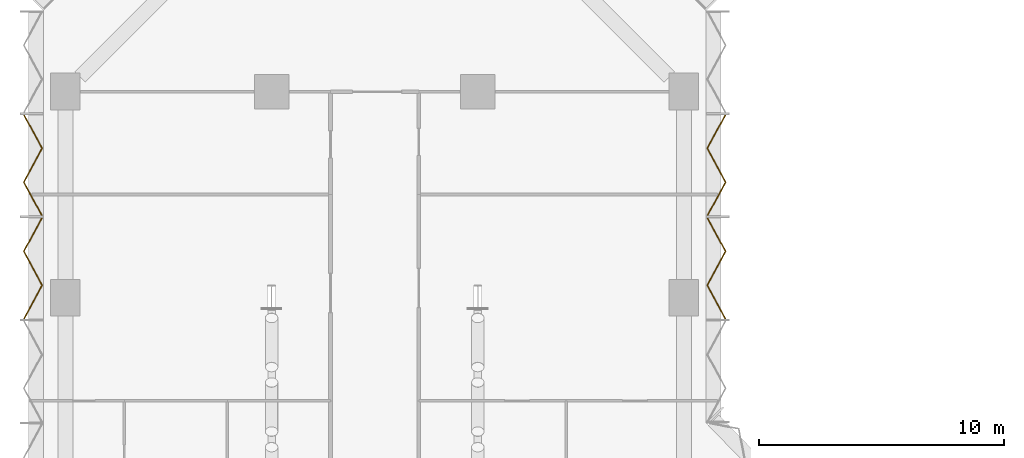
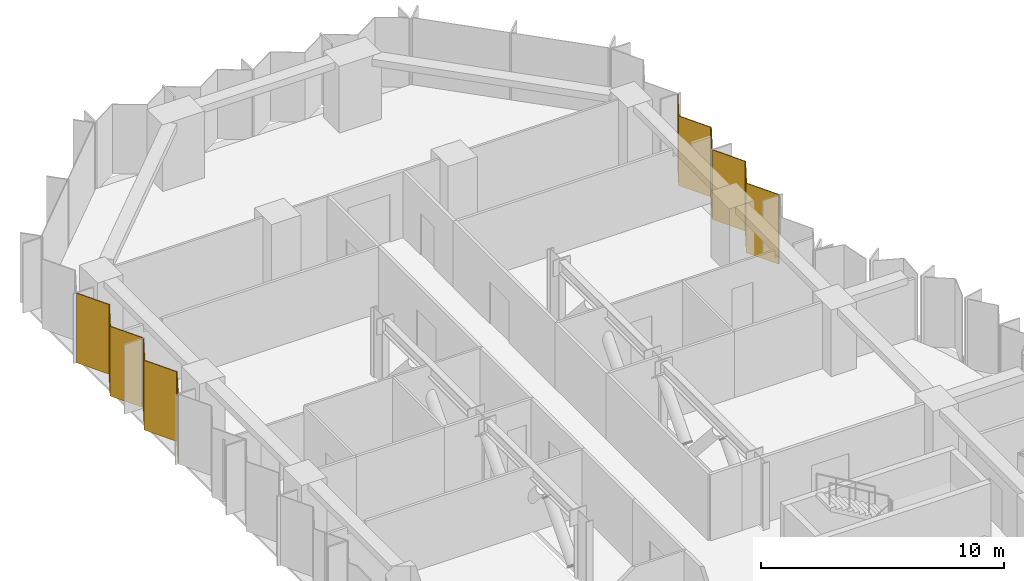
# One storey, part 18 of 18: 4 coverings, 2 elements without a shape of their own.
"""IFC4 building model written with IfcOpenShell, lengths in metres."""

from ifc_helpers import new_model, si_unit, direction, frame, origin, place, context, subcontext, project, spatial, polyline, outline, extrude, material, layer, layer_set, type_object, element, aggregate, save


model = new_model("IFC4")

# Units and contexts
model_context = context("Model", 3, precision=1e-05, world=origin(), true_north=direction((0.0, 1.0)))
body_context = subcontext(model_context, "Body", "Model", "MODEL_VIEW")
ifc_project = project(units=[si_unit("LENGTHUNIT", "METRE"), si_unit("AREAUNIT", "SQUARE_METRE"), si_unit("VOLUMEUNIT", "CUBIC_METRE"), si_unit("PLANEANGLEUNIT", "RADIAN"), si_unit("MASSUNIT", "GRAM", prefix="KILO")], contexts=[model_context])

# Site, building, storey
site_placement = place(None, origin())
site = spatial("IfcSite", under=ifc_project, at=site_placement, CompositionType="ELEMENT")
building_placement = place(site_placement, origin())
building = spatial("IfcBuilding", under=site, at=building_placement, Name="Brevane Broadcast Tower", CompositionType="ELEMENT")
storey_placement = place(building_placement, frame((0.0, 0.0, 40.10009765625)))
storey = spatial("IfcBuildingStorey", under=building, at=storey_placement, Name="L07", CompositionType="ELEMENT", Elevation=40.10009765625)

# Curtain wall, coverings
ifc_material_1 = material(Name="Aluminium 6063-T6 bronze anodised", Category="aluminium")
curtain_wall_type = type_object("IfcCurtainWallType", Name="CW-1 curtain wall", PredefinedType="NOTDEFINED", material=ifc_material_1)
curtain_wall_1_placement = place(storey_placement, origin())
curtain_wall_1 = element("IfcCurtainWall", 1, at=curtain_wall_1_placement, inside=storey, type_object=curtain_wall_type, Name="CW-1 typical tilted unit L07 north arm east face", PredefinedType="NOTDEFINED")
ifc_material_2 = material(Name="Back-painted bronze glass shadow-box", Category="glass")
ifc_layer = layer(ifc_material_2, 0.0400390625)
ifc_layer_set = layer_set([ifc_layer], Name="Shadow-box panel 40")
covering_type = type_object("IfcCoveringType", Name="Shadow-box panel 40", PredefinedType="CLADDING", material=ifc_layer_set)
covering_1_placement = place(storey_placement, frame((0.0, 0.0, -0.150146484375)))
covering_1 = element("IfcCovering", 2, at=covering_1_placement, type_object=covering_type, Name="Shadow-box panel", PredefinedType="CLADDING", context=body_context, shape_type="SweptSolid", body=[
    extrude(outline(polyline([(26.87158203125, 49.534912109375), (26.9169921875, 49.534912109375), (26.172607421875, 50.91162109375), (26.9169921875, 52.288330078125), (26.172607421875, 53.6650390625), (26.127197265625, 53.6650390625), (26.87158203125, 52.288330078125), (26.127197265625, 50.91162109375), (26.87158203125, 49.534912109375)])), origin(), (0.0, 0.0, 1.0), 3.5),
])
covering_2_placement = place(storey_placement, frame((0.0, 0.0, -0.150146484375)))
covering_2 = element("IfcCovering", 3, at=covering_2_placement, type_object=covering_type, Name="Shadow-box panel", PredefinedType="CLADDING", context=body_context, shape_type="SweptSolid", body=[
    extrude(outline(polyline([(26.127197265625, 53.735107421875), (26.172607421875, 53.735107421875), (26.9169921875, 55.11181640625), (26.172607421875, 56.48828125), (26.9169921875, 57.864990234375), (26.87158203125, 57.864990234375), (26.127197265625, 56.48828125), (26.87158203125, 55.11181640625), (26.127197265625, 53.735107421875)])), origin(), (0.0, 0.0, 1.0), 3.5),
])
aggregate(curtain_wall_1, [covering_1, covering_2])

curtain_wall_2_placement = place(storey_placement, origin())
curtain_wall_2 = element("IfcCurtainWall", 4, at=curtain_wall_2_placement, inside=storey, type_object=curtain_wall_type, Name="CW-1 typical tilted unit L07 west face", PredefinedType="NOTDEFINED")
covering_3_placement = place(storey_placement, frame((0.0, 0.0, -0.150146484375)))
covering_3 = element("IfcCovering", 5, at=covering_3_placement, type_object=covering_type, Name="Shadow-box panel", PredefinedType="CLADDING", context=body_context, shape_type="SweptSolid", body=[
    extrude(outline(polyline([(-1.671630859375, 57.864990234375), (-1.717041015625, 57.864990234375), (-0.97265625, 56.48828125), (-1.717041015625, 55.11181640625), (-0.97265625, 53.735107421875), (-0.92724609375, 53.735107421875), (-1.671630859375, 55.11181640625), (-0.92724609375, 56.48828125), (-1.671630859375, 57.864990234375)])), origin(), (0.0, 0.0, 1.0), 3.5),
])
covering_4_placement = place(storey_placement, frame((0.0, 0.0, -0.150146484375)))
covering_4 = element("IfcCovering", 6, at=covering_4_placement, type_object=covering_type, Name="Shadow-box panel", PredefinedType="CLADDING", context=body_context, shape_type="SweptSolid", body=[
    extrude(outline(polyline([(-0.92724609375, 53.6650390625), (-0.97265625, 53.6650390625), (-1.717041015625, 52.288330078125), (-0.97265625, 50.91162109375), (-1.717041015625, 49.534912109375), (-1.671630859375, 49.534912109375), (-0.92724609375, 50.91162109375), (-1.671630859375, 52.288330078125), (-0.92724609375, 53.6650390625)])), origin(), (0.0, 0.0, 1.0), 3.5),
])
aggregate(curtain_wall_2, [covering_3, covering_4])

save(model, "model.ifc")
